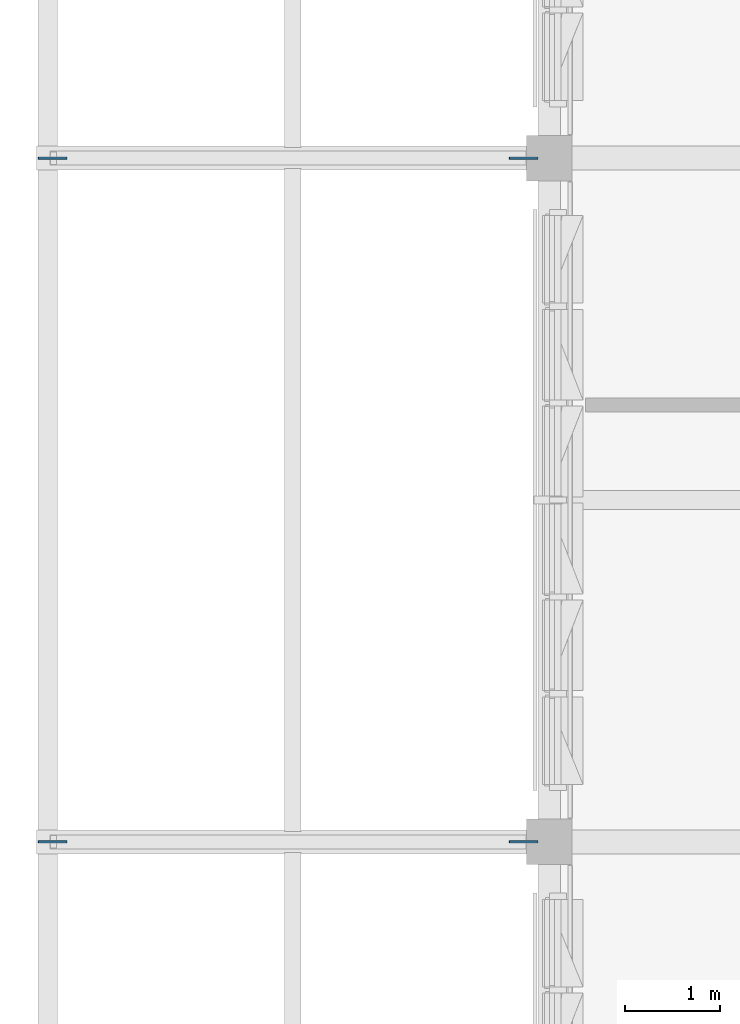
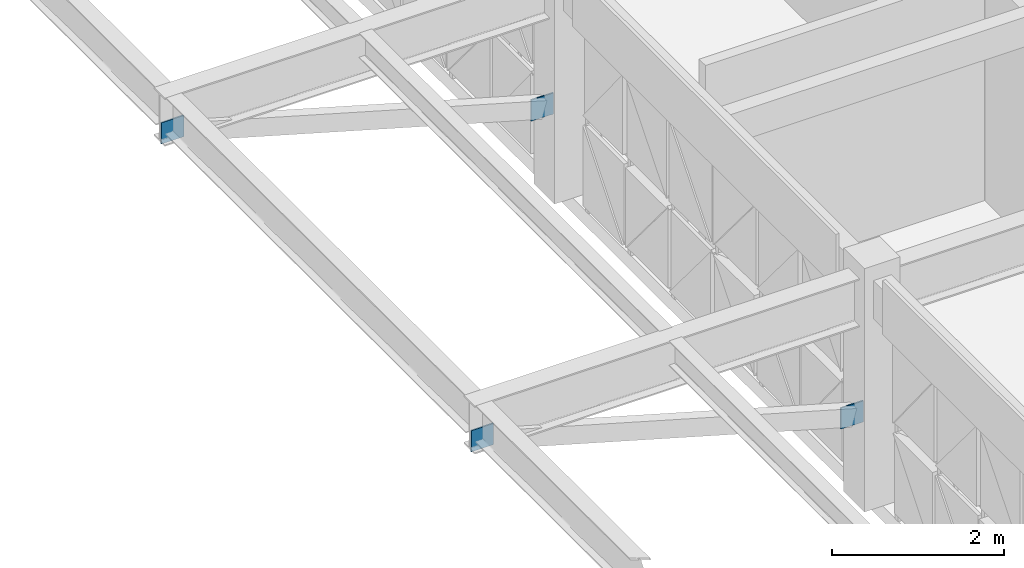
# One storey, part 18 of 30: 4 plates.
"""IFC4 building model written with IfcOpenShell, lengths in metres."""

import ifcopenshell
import ifcopenshell.guid

model = None  # the IFC model being written
_history = None  # IfcOwnerHistory: only IFC2X3 demands one
_inside = {}  # id of a spatial element -> (the spatial element, [elements in it])
_under = {}  # id of a project, library or spatial element -> (it, [spatial elements below it])
_declared = {}  # id of a project -> (the project, [libraries it declares])
_typed = {}  # id of a type object -> (the type object, [elements of that type])
_made_of = {}  # id of a material, layer set ... -> (it, [elements and type objects made of it])


def new_model(schema):
    """Start an empty IFC model of exactly this schema.

    Asked for "IFC4X3", IfcOpenShell would pick the latest addendum, in which some entities
    have other attributes; the version numbers below select the first issue.
    IFC2X3 requires an IfcOwnerHistory on every rooted entity: one is made here for all.
    """
    global model, _history
    if schema == "IFC4X3":
        model = ifcopenshell.file(schema_version=(4, 3, 0, 0))
    else:
        model = ifcopenshell.file(schema=schema)
    _inside.clear()
    _under.clear()
    _declared.clear()
    _typed.clear()
    _made_of.clear()
    _history = None
    if model.schema == "IFC2X3":
        org = make("IfcOrganization", Name="unknown")
        user = make(
            "IfcPersonAndOrganization",
            ThePerson=make("IfcPerson", FamilyName="unknown"),
            TheOrganization=org,
        )
        app = make(
            "IfcApplication",
            ApplicationDeveloper=org,
            Version="unknown",
            ApplicationFullName="unknown",
            ApplicationIdentifier="unknown",
        )
        _history = make(
            "IfcOwnerHistory",
            OwningUser=user,
            OwningApplication=app,
            ChangeAction="ADDED",
            CreationDate=0,
        )
    return model


def make(cls, **values):
    """One entity of the class cls with the attributes given. An attribute that is None is left unset."""
    return model.create_entity(
        cls, **{name: value for name, value in values.items() if value is not None}
    )


def rooted(cls, **values):
    """An entity with a GlobalId (a new one), such as an element, a storey or a relation."""
    return make(cls, GlobalId=ifcopenshell.guid.new(), OwnerHistory=_history, **values)


def si_unit(unit_type, name, prefix=None):
    """IfcSIUnit, for example si_unit("LENGTHUNIT", "METRE", prefix="MILLI")."""
    return make("IfcSIUnit", UnitType=unit_type, Prefix=prefix, Name=name)


def assignment(units):
    """IfcUnitAssignment: the units of a project."""
    return None if units is None else make("IfcUnitAssignment", Units=units)


def point(xyz):
    """IfcCartesianPoint."""
    return None if xyz is None else make("IfcCartesianPoint", Coordinates=xyz)


def direction(xyz):
    """IfcDirection."""
    return None if xyz is None else make("IfcDirection", DirectionRatios=xyz)


def frame(location, z_axis=None, x_axis=None):
    """IfcAxis2Placement3D, a coordinate frame: its origin and axes. An axis left out is left unset."""
    return make(
        "IfcAxis2Placement3D",
        Location=point(location),
        Axis=direction(z_axis),
        RefDirection=direction(x_axis),
    )


def origin():
    """The frame at (0, 0, 0) with its axes left unset."""
    return frame((0.0, 0.0, 0.0))


def place(relative_to, where):
    """IfcLocalPlacement: puts the frame where relative to a parent placement (None: the world)."""
    return make(
        "IfcLocalPlacement", PlacementRelTo=relative_to, RelativePlacement=where
    )


def context(
    kind, dimensions, precision=None, world=None, true_north=None, identifier=None
):
    """IfcGeometricRepresentationContext, for example the 3D "Model" context."""
    return make(
        "IfcGeometricRepresentationContext",
        ContextIdentifier=identifier,
        ContextType=kind,
        CoordinateSpaceDimension=dimensions,
        Precision=precision,
        WorldCoordinateSystem=world,
        TrueNorth=true_north,
    )


def subcontext(parent, identifier, kind, view, scale=None):
    """IfcGeometricRepresentationSubContext, for example "Body" below "Model"."""
    return make(
        "IfcGeometricRepresentationSubContext",
        ContextIdentifier=identifier,
        ContextType=kind,
        ParentContext=parent,
        TargetScale=scale,
        TargetView=view,
    )


def project(units=None, contexts=None):
    """IfcProject with its units and contexts."""
    return rooted(
        "IfcProject",
        Name="project",
        RepresentationContexts=contexts,
        UnitsInContext=assignment(units),
    )


def spatial(cls, under=None, at=None, **own):
    """A site, building, storey or space (cls), placed at a placement, below another one or the project."""
    s = rooted(cls, ObjectPlacement=at, **own)
    if under is not None:
        _under.setdefault(under.id(), (under, []))[1].append(s)
    return s


def polyline(points):
    """IfcPolyline through the points."""
    return make("IfcPolyline", Points=[point(p) for p in points])


def outline(outer, holes=None, kind="AREA"):
    """IfcArbitraryClosedProfileDef: a profile drawn as a closed curve; with holes, ...WithVoids."""
    if holes is None:
        return make("IfcArbitraryClosedProfileDef", ProfileType=kind, OuterCurve=outer)
    return make(
        "IfcArbitraryProfileDefWithVoids",
        ProfileType=kind,
        OuterCurve=outer,
        InnerCurves=holes,
    )


def extrude(swept, where, along, depth):
    """IfcExtrudedAreaSolid: the profile swept, set in the frame where, extruded along a direction by depth."""
    return make(
        "IfcExtrudedAreaSolid",
        SweptArea=swept,
        Position=where,
        ExtrudedDirection=direction(along),
        Depth=depth,
    )


def shape(context_of_items, identifier, shape_type, items):
    """IfcShapeRepresentation: the items that make up one representation, for example the "Body"."""
    return make(
        "IfcShapeRepresentation",
        ContextOfItems=context_of_items,
        RepresentationIdentifier=identifier,
        RepresentationType=shape_type,
        Items=items,
    )


def material(Name=None, Category=None):
    """IfcMaterial."""
    return make("IfcMaterial", Name=Name, Category=Category)


def layer(
    of_material, thickness, ventilated=None, Name=None, Category=None, Priority=None
):
    """IfcMaterialLayer: one layer of a wall or slab, of a material (None: an air gap)."""
    return make(
        "IfcMaterialLayer",
        Material=of_material,
        LayerThickness=thickness,
        IsVentilated=ventilated,
        Name=Name,
        Category=Category,
        Priority=Priority,
    )


def layer_set(layers, Name=None):
    """IfcMaterialLayerSet."""
    return make("IfcMaterialLayerSet", MaterialLayers=layers, LayerSetName=Name)


def made_of(thing, what):
    """Note that an element or type object is made of a material, layer set ...; save() writes the relation."""
    if what is not None:
        _made_of.setdefault(what.id(), (what, []))[1].append(thing)
    return thing


def type_object(cls, material=None, **own):
    """A type object (cls), such as IfcWallType, which elements share."""
    return made_of(rooted(cls, **own), material)


def element(
    cls,
    number,
    at=None,
    inside=None,
    cuts=None,
    type_object=None,
    material=None,
    context=None,
    identifier="Body",
    shape_type=None,
    held_by="IfcProductDefinitionShape",
    body=None,
    shapes=None,
    **own,
):
    """One element of the class cls, such as IfcWall. Its Tag is "e" and its number.

    at: its placement. inside: the storey or other place that contains it. cuts: it is an
    opening in that element (IfcRelVoidsElement). A single representation is given by context,
    identifier, shape_type and body (its items); several are given by shapes. held_by: the class
    of the entity that holds the representations. save() writes the other relations.
    """
    e = rooted(cls, Tag="e%d" % number, ObjectPlacement=at, **own)
    if body is not None:
        shapes = [shape(context, identifier, shape_type, body)]
    if shapes is not None:
        e.Representation = make(held_by, Representations=shapes)
    if inside is not None:
        _inside.setdefault(inside.id(), (inside, []))[1].append(e)
    if cuts is not None:
        rooted(
            "IfcRelVoidsElement", RelatingBuildingElement=cuts, RelatedOpeningElement=e
        )
    if type_object is not None:
        _typed.setdefault(type_object.id(), (type_object, []))[1].append(e)
    return made_of(e, material)


def aggregate(whole, parts):
    """IfcRelAggregates: a whole, such as a stair, and the parts it consists of."""
    return rooted("IfcRelAggregates", RelatingObject=whole, RelatedObjects=parts)


def save(model, path):
    """Write the relations noted so far, then the file.

    IfcRelAggregates (storeys below a building ...), IfcRelContainedInSpatialStructure (elements
    in a storey), IfcRelDefinesByType, IfcRelAssociatesMaterial and IfcRelDeclares: one each for
    every whole, place, type object, material and project.
    """
    for whole, parts in _under.values():
        aggregate(whole, parts)
    for where, things in _inside.values():
        rooted(
            "IfcRelContainedInSpatialStructure",
            RelatedElements=things,
            RelatingStructure=where,
        )
    for kind, things in _typed.values():
        rooted("IfcRelDefinesByType", RelatedObjects=things, RelatingType=kind)
    for what, things in _made_of.values():
        rooted("IfcRelAssociatesMaterial", RelatedObjects=things, RelatingMaterial=what)
    for by, libraries in _declared.values():
        rooted("IfcRelDeclares", RelatingContext=by, RelatedDefinitions=libraries)
    model.write(path)


model = new_model("IFC4")

# Units and contexts
model_context = context("Model", 3, precision=1e-05, world=origin(), true_north=direction((0.0, 1.0)))
body_context = subcontext(model_context, "Body", "Model", "MODEL_VIEW")
ifc_project = project(units=[si_unit("LENGTHUNIT", "METRE"), si_unit("AREAUNIT", "SQUARE_METRE"), si_unit("VOLUMEUNIT", "CUBIC_METRE"), si_unit("PLANEANGLEUNIT", "RADIAN"), si_unit("MASSUNIT", "GRAM", prefix="KILO")], contexts=[model_context])

# Site, building, storey
site_placement = place(None, origin())
site = spatial("IfcSite", under=ifc_project, at=site_placement, CompositionType="ELEMENT")
building_placement = place(site_placement, origin())
building = spatial("IfcBuilding", under=site, at=building_placement, Name="Alvorim Cloister Faculty of Sciences", CompositionType="ELEMENT")
storey_placement = place(building_placement, frame((0.0, 0.0, 26.25)))
storey = spatial("IfcBuildingStorey", under=building, at=storey_placement, Name="L07", CompositionType="ELEMENT", Elevation=26.25)

# Plates
ifc_material = material(Name="Steel ASTM A572 Grade 50", Category="steel")
ifc_layer = layer(ifc_material, 0.02001953125)
ifc_layer_set = layer_set([ifc_layer], Name="Steel ASTM A572 Grade 50")
plate_type = type_object("IfcPlateType", Name="PL-GUS-20", PredefinedType="SHEET", material=ifc_layer_set)
for number, where, z_axis, x_axis, name in (
    (1, (7.07958984375, 28.800048828125, 1.09716796875), (0.0, 0.0, 1.0), (-1.0, 0.0, 0.0), "Hollow Steel End Plate ND-06"),
    (2, (2.120361328125, 28.800048828125, 2.5126953125), (0.0, 0.0, 1.0), (-1.0, 0.0, 0.0), "Hollow Steel End Plate ND-06"),
    (3, (7.07958984375, 36.0, 1.09716796875), (0.0, 0.0, 1.0), (-1.0, 0.0, 0.0), "Hollow Steel End Plate ND-06"),
    (4, (2.120361328125, 36.0, 2.5126953125), (0.0, 0.0, 1.0), (-1.0, 0.0, 0.0), "Hollow Steel End Plate ND-06"),
):
    element("IfcPlate", number, at=place(storey_placement, frame(where, z_axis=z_axis, x_axis=x_axis)), inside=storey, type_object=plate_type, Name=name, PredefinedType="SHEET", context=body_context, shape_type="SweptSolid", body=[
        extrude(outline(polyline([(0.0, 0.0), (0.300048828125, 0.0), (0.300048828125, 0.300048828125), (0.0, 0.300048828125), (0.0, 0.0)])), frame((0.0, 0.010009765625, 0.0), z_axis=(0.0, -1.0, 0.0), x_axis=(1.0, 0.0, 0.0)), (0.0, 0.0, 1.0), 0.02001953125),
    ])

save(model, "model.ifc")
